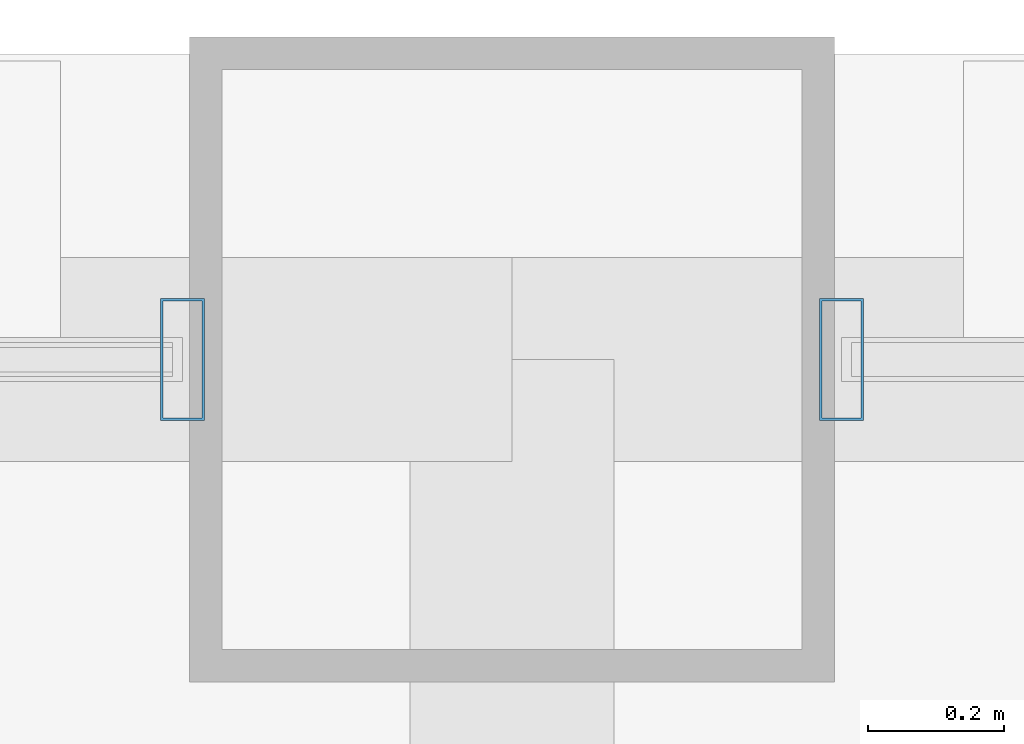
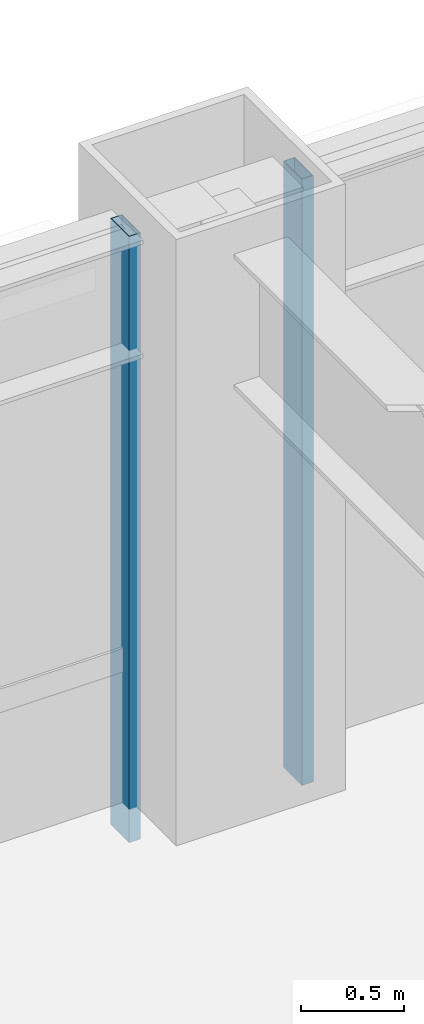
# One storey, part 19 of 31: 2 members, 2 elements without a shape of their own.
"""IFC4 building model written with IfcOpenShell, lengths in metres."""

from ifc_helpers import new_model, si_unit, direction, frame, origin, origin_2d, place, context, subcontext, project, spatial, hollow_rectangle, extrude, material, layer, layer_set, material_profile, profile_set, type_object, element, aggregate, save


model = new_model("IFC4")

# Units and contexts
model_context = context("Model", 3, precision=1e-05, world=origin(), true_north=direction((0.0, 1.0)))
body_context = subcontext(model_context, "Body", "Model", "MODEL_VIEW")
ifc_project = project(units=[si_unit("LENGTHUNIT", "METRE"), si_unit("AREAUNIT", "SQUARE_METRE"), si_unit("VOLUMEUNIT", "CUBIC_METRE"), si_unit("PLANEANGLEUNIT", "RADIAN"), si_unit("MASSUNIT", "GRAM", prefix="KILO")], contexts=[model_context])

# Site, building, storey
site_placement = place(None, origin())
site = spatial("IfcSite", under=ifc_project, at=site_placement, CompositionType="ELEMENT")
building_placement = place(site_placement, origin())
building = spatial("IfcBuilding", under=site, at=building_placement, Name="Brelmoor Portico Tower", CompositionType="ELEMENT")
storey_placement = place(building_placement, frame((0.0, 0.0, 38.39990234375)))
storey = spatial("IfcBuildingStorey", under=building, at=storey_placement, Name="L09", CompositionType="ELEMENT", Elevation=38.39990234375)

# Curtain wall, member
ifc_material = material(Name="Anodised Aluminium Alloy 6063-T6", Category="aluminium")
ifc_layer_1 = layer(ifc_material, 0.179931640625)
ifc_layer_set_1 = layer_set([ifc_layer_1], Name="Anodised Aluminium Alloy 6063-T6")
curtain_wall_type_1 = type_object("IfcCurtainWallType", Name="CW-TOWER-Z1", PredefinedType="NOTDEFINED", material=ifc_layer_set_1)
curtain_wall_1_placement = place(storey_placement, origin())
curtain_wall_1 = element("IfcCurtainWall", 1, at=curtain_wall_1_placement, inside=storey, type_object=curtain_wall_type_1, Name="L09 Curtain Wall CW-L09-2L-2", PredefinedType="NOTDEFINED")
ifc_material_profile = material_profile(ifc_material, hollow_rectangle(XDim=0.06494140625, YDim=0.179931640625, WallThickness=0.00390625, at=origin_2d()), Name="ALU MULLION 65x180")
ifc_profile_set = profile_set([ifc_material_profile], Name="Anodised Aluminium Alloy 6063-T6")
member_type = type_object("IfcMemberType", Name="MB-CW-MULL-180", PredefinedType="MULLION", material=ifc_profile_set)
member_1_placement = place(storey_placement, frame((-8.534912109375, 21.550048828125, -0.199951171875), z_axis=(0.0, 0.0, 1.0), x_axis=(1.0, 0.0, 0.0)))
member_1 = element("IfcMember", 2, at=member_1_placement, type_object=member_type, Name="CW-L09-2L-2 Mullion 01", PredefinedType="MULLION", context=body_context, shape_type="SweptSolid", body=[
    extrude(hollow_rectangle(XDim=0.06494140625, YDim=0.179931640625, WallThickness=0.00390625, at=origin_2d()), origin(), (0.0, 0.0, 1.0), 3.60009765625),
])
aggregate(curtain_wall_1, [member_1])

ifc_layer_2 = layer(ifc_material, 0.179931640625)
ifc_layer_set_2 = layer_set([ifc_layer_2], Name="Anodised Aluminium Alloy 6063-T6")
curtain_wall_type_2 = type_object("IfcCurtainWallType", Name="CW-TOWER-Z1-XB", PredefinedType="NOTDEFINED", material=ifc_layer_set_2)
curtain_wall_2_placement = place(storey_placement, origin())
curtain_wall_2 = element("IfcCurtainWall", 3, at=curtain_wall_2_placement, inside=storey, type_object=curtain_wall_type_2, Name="L09 Curtain Wall CW-L09-2L-3", PredefinedType="NOTDEFINED")
member_2_placement = place(storey_placement, frame((-7.56494140625, 21.550048828125, -0.199951171875), z_axis=(0.0, 0.0, 1.0), x_axis=(1.0, 0.0, 0.0)))
member_2 = element("IfcMember", 4, at=member_2_placement, type_object=member_type, Name="CW-L09-2L-3 Mullion 00", PredefinedType="MULLION", context=body_context, shape_type="SweptSolid", body=[
    extrude(hollow_rectangle(XDim=0.06494140625, YDim=0.179931640625, WallThickness=0.00390625, at=origin_2d()), origin(), (0.0, 0.0, 1.0), 3.60009765625),
])
aggregate(curtain_wall_2, [member_2])

save(model, "model.ifc")
